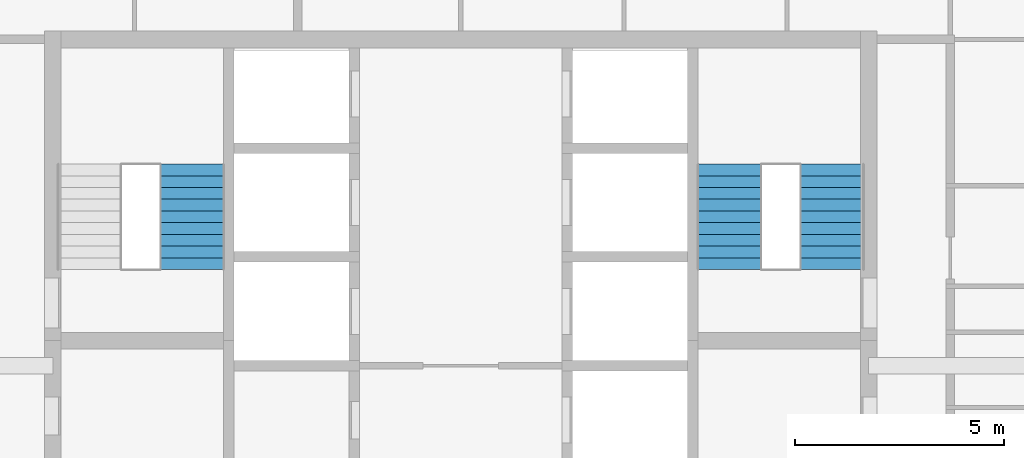
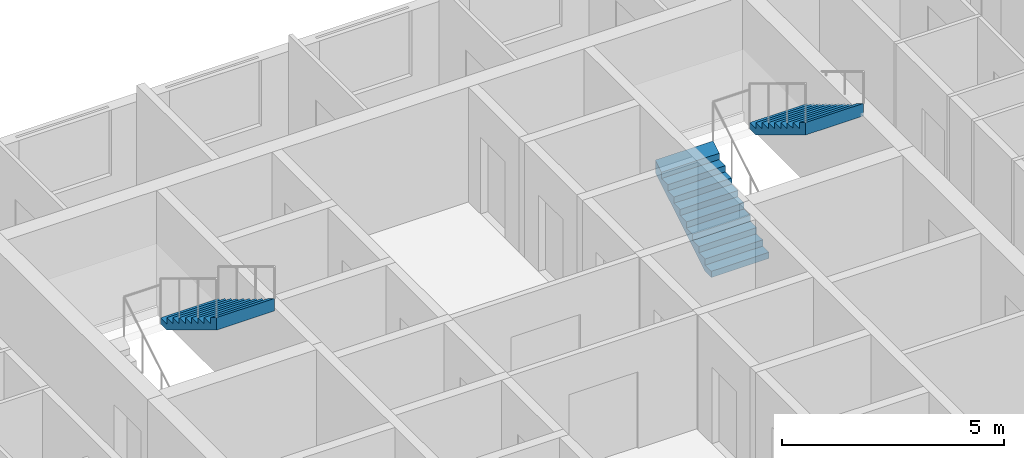
# One storey, part 14 of 16: 3 stair flights, 2 elements without a shape of their own.
"""IFC4 building model written with IfcOpenShell, lengths in metres."""

import ifcopenshell
import ifcopenshell.guid

model = None  # the IFC model being written
_history = None  # IfcOwnerHistory: only IFC2X3 demands one
_inside = {}  # id of a spatial element -> (the spatial element, [elements in it])
_under = {}  # id of a project, library or spatial element -> (it, [spatial elements below it])
_declared = {}  # id of a project -> (the project, [libraries it declares])
_typed = {}  # id of a type object -> (the type object, [elements of that type])
_made_of = {}  # id of a material, layer set ... -> (it, [elements and type objects made of it])


def new_model(schema):
    """Start an empty IFC model of exactly this schema.

    Asked for "IFC4X3", IfcOpenShell would pick the latest addendum, in which some entities
    have other attributes; the version numbers below select the first issue.
    IFC2X3 requires an IfcOwnerHistory on every rooted entity: one is made here for all.
    """
    global model, _history
    if schema == "IFC4X3":
        model = ifcopenshell.file(schema_version=(4, 3, 0, 0))
    else:
        model = ifcopenshell.file(schema=schema)
    _inside.clear()
    _under.clear()
    _declared.clear()
    _typed.clear()
    _made_of.clear()
    _history = None
    if model.schema == "IFC2X3":
        org = make("IfcOrganization", Name="unknown")
        user = make(
            "IfcPersonAndOrganization",
            ThePerson=make("IfcPerson", FamilyName="unknown"),
            TheOrganization=org,
        )
        app = make(
            "IfcApplication",
            ApplicationDeveloper=org,
            Version="unknown",
            ApplicationFullName="unknown",
            ApplicationIdentifier="unknown",
        )
        _history = make(
            "IfcOwnerHistory",
            OwningUser=user,
            OwningApplication=app,
            ChangeAction="ADDED",
            CreationDate=0,
        )
    return model


def make(cls, **values):
    """One entity of the class cls with the attributes given. An attribute that is None is left unset."""
    return model.create_entity(
        cls, **{name: value for name, value in values.items() if value is not None}
    )


def rooted(cls, **values):
    """An entity with a GlobalId (a new one), such as an element, a storey or a relation."""
    return make(cls, GlobalId=ifcopenshell.guid.new(), OwnerHistory=_history, **values)


def si_unit(unit_type, name, prefix=None):
    """IfcSIUnit, for example si_unit("LENGTHUNIT", "METRE", prefix="MILLI")."""
    return make("IfcSIUnit", UnitType=unit_type, Prefix=prefix, Name=name)


def assignment(units):
    """IfcUnitAssignment: the units of a project."""
    return None if units is None else make("IfcUnitAssignment", Units=units)


def point(xyz):
    """IfcCartesianPoint."""
    return None if xyz is None else make("IfcCartesianPoint", Coordinates=xyz)


def direction(xyz):
    """IfcDirection."""
    return None if xyz is None else make("IfcDirection", DirectionRatios=xyz)


def frame(location, z_axis=None, x_axis=None):
    """IfcAxis2Placement3D, a coordinate frame: its origin and axes. An axis left out is left unset."""
    return make(
        "IfcAxis2Placement3D",
        Location=point(location),
        Axis=direction(z_axis),
        RefDirection=direction(x_axis),
    )


def origin():
    """The frame at (0, 0, 0) with its axes left unset."""
    return frame((0.0, 0.0, 0.0))


def place(relative_to, where):
    """IfcLocalPlacement: puts the frame where relative to a parent placement (None: the world)."""
    return make(
        "IfcLocalPlacement", PlacementRelTo=relative_to, RelativePlacement=where
    )


def context(
    kind, dimensions, precision=None, world=None, true_north=None, identifier=None
):
    """IfcGeometricRepresentationContext, for example the 3D "Model" context."""
    return make(
        "IfcGeometricRepresentationContext",
        ContextIdentifier=identifier,
        ContextType=kind,
        CoordinateSpaceDimension=dimensions,
        Precision=precision,
        WorldCoordinateSystem=world,
        TrueNorth=true_north,
    )


def subcontext(parent, identifier, kind, view, scale=None):
    """IfcGeometricRepresentationSubContext, for example "Body" below "Model"."""
    return make(
        "IfcGeometricRepresentationSubContext",
        ContextIdentifier=identifier,
        ContextType=kind,
        ParentContext=parent,
        TargetScale=scale,
        TargetView=view,
    )


def project(units=None, contexts=None):
    """IfcProject with its units and contexts."""
    return rooted(
        "IfcProject",
        Name="project",
        RepresentationContexts=contexts,
        UnitsInContext=assignment(units),
    )


def spatial(cls, under=None, at=None, **own):
    """A site, building, storey or space (cls), placed at a placement, below another one or the project."""
    s = rooted(cls, ObjectPlacement=at, **own)
    if under is not None:
        _under.setdefault(under.id(), (under, []))[1].append(s)
    return s


def point_list(points):
    """IfcCartesianPointList2D or 3D."""
    cls = (
        "IfcCartesianPointList2D" if len(points[0]) == 2 else "IfcCartesianPointList3D"
    )
    return make(cls, CoordList=points)


def triangles(points, corners, closed=None, point_numbers=None):
    """IfcTriangulatedFaceSet: each triangle names its three corners, points numbered from 1."""
    return make(
        "IfcTriangulatedFaceSet",
        Coordinates=point_list(points),
        Closed=closed,
        CoordIndex=corners,
        PnIndex=point_numbers,
    )


def shape(context_of_items, identifier, shape_type, items):
    """IfcShapeRepresentation: the items that make up one representation, for example the "Body"."""
    return make(
        "IfcShapeRepresentation",
        ContextOfItems=context_of_items,
        RepresentationIdentifier=identifier,
        RepresentationType=shape_type,
        Items=items,
    )


def material(Name=None, Category=None):
    """IfcMaterial."""
    return make("IfcMaterial", Name=Name, Category=Category)


def made_of(thing, what):
    """Note that an element or type object is made of a material, layer set ...; save() writes the relation."""
    if what is not None:
        _made_of.setdefault(what.id(), (what, []))[1].append(thing)
    return thing


def type_object(cls, material=None, **own):
    """A type object (cls), such as IfcWallType, which elements share."""
    return made_of(rooted(cls, **own), material)


def element(
    cls,
    number,
    at=None,
    inside=None,
    cuts=None,
    type_object=None,
    material=None,
    context=None,
    identifier="Body",
    shape_type=None,
    held_by="IfcProductDefinitionShape",
    body=None,
    shapes=None,
    **own,
):
    """One element of the class cls, such as IfcWall. Its Tag is "e" and its number.

    at: its placement. inside: the storey or other place that contains it. cuts: it is an
    opening in that element (IfcRelVoidsElement). A single representation is given by context,
    identifier, shape_type and body (its items); several are given by shapes. held_by: the class
    of the entity that holds the representations. save() writes the other relations.
    """
    e = rooted(cls, Tag="e%d" % number, ObjectPlacement=at, **own)
    if body is not None:
        shapes = [shape(context, identifier, shape_type, body)]
    if shapes is not None:
        e.Representation = make(held_by, Representations=shapes)
    if inside is not None:
        _inside.setdefault(inside.id(), (inside, []))[1].append(e)
    if cuts is not None:
        rooted(
            "IfcRelVoidsElement", RelatingBuildingElement=cuts, RelatedOpeningElement=e
        )
    if type_object is not None:
        _typed.setdefault(type_object.id(), (type_object, []))[1].append(e)
    return made_of(e, material)


def aggregate(whole, parts):
    """IfcRelAggregates: a whole, such as a stair, and the parts it consists of."""
    return rooted("IfcRelAggregates", RelatingObject=whole, RelatedObjects=parts)


def save(model, path):
    """Write the relations noted so far, then the file.

    IfcRelAggregates (storeys below a building ...), IfcRelContainedInSpatialStructure (elements
    in a storey), IfcRelDefinesByType, IfcRelAssociatesMaterial and IfcRelDeclares: one each for
    every whole, place, type object, material and project.
    """
    for whole, parts in _under.values():
        aggregate(whole, parts)
    for where, things in _inside.values():
        rooted(
            "IfcRelContainedInSpatialStructure",
            RelatedElements=things,
            RelatingStructure=where,
        )
    for kind, things in _typed.values():
        rooted("IfcRelDefinesByType", RelatedObjects=things, RelatingType=kind)
    for what, things in _made_of.values():
        rooted("IfcRelAssociatesMaterial", RelatedObjects=things, RelatingMaterial=what)
    for by, libraries in _declared.values():
        rooted("IfcRelDeclares", RelatingContext=by, RelatedDefinitions=libraries)
    model.write(path)


model = new_model("IFC4")

# Units and contexts
model_context = context("Model", 3, precision=1e-05, world=origin(), true_north=direction((0.0, 1.0)))
body_context = subcontext(model_context, "Body", "Model", "MODEL_VIEW")
ifc_project = project(units=[si_unit("LENGTHUNIT", "METRE"), si_unit("AREAUNIT", "SQUARE_METRE"), si_unit("VOLUMEUNIT", "CUBIC_METRE"), si_unit("PLANEANGLEUNIT", "RADIAN"), si_unit("MASSUNIT", "GRAM", prefix="KILO")], contexts=[model_context])

# Site, building, storey
site_placement = place(None, origin())
site = spatial("IfcSite", under=ifc_project, at=site_placement, CompositionType="ELEMENT")
building_placement = place(site_placement, origin())
building = spatial("IfcBuilding", under=site, at=building_placement, Name="Ludao Terraces", CompositionType="ELEMENT")
storey_placement = place(building_placement, frame((0.0, 0.0, 204.10009765625)))
storey = spatial("IfcBuildingStorey", under=building, at=storey_placement, Name="L55", CompositionType="ELEMENT", Elevation=204.10009765625)

# Stair, stair flight
ifc_material = material(Name="Concrete C40", Category="concrete")
stair_type = type_object("IfcStairType", Name="INT Stair", PredefinedType="HALF_TURN_STAIR", material=ifc_material)
stair_1_placement = place(storey_placement, origin())
stair_1 = element("IfcStair", 1, at=stair_1_placement, inside=storey, type_object=stair_type, Name="EXIT STAIR 1", PredefinedType="HALF_TURN_STAIR")
stair_flight_type = type_object("IfcStairFlightType", Name="INT Stair flight", PredefinedType="STRAIGHT", material=ifc_material)
stair_flight_1_placement = place(storey_placement, frame((78.574951171875, 81.52001953125, 1.699951171875), z_axis=(0.0, 0.0, 1.0), x_axis=(0.0, -1.0, 0.0)))
stair_flight_1 = element("IfcStairFlight", 2, at=stair_flight_1_placement, type_object=stair_flight_type, Name="ST1 flight 2", NumberOfRisers=10, NumberOfTreads=9, PredefinedType="STRAIGHT", RiserHeight=0.17, TreadLength=0.28, context=body_context, shape_type="Tessellation", body=[
    triangles([(0.0, -0.75, 0.0), (0.0, -0.5, 0.0), (0.0, -0.25, 0.0), (0.0, 0.0, 0.0), (0.0, 0.25, 0.0), (0.0, 0.5, 0.0), (0.0, 0.75, 0.0), (0.0, -0.75, 0.169921875), (0.0, -0.5, 0.169921875), (0.0, -0.25, 0.169921875), (0.0, 0.0, 0.169921875), (0.0, 0.25, 0.169921875), (0.0, 0.5, 0.169921875), (0.0, 0.75, 0.169921875), (0.280029296875, -0.75, 0.169921875), (0.280029296875, -0.5, 0.169921875), (0.280029296875, -0.25, 0.169921875), (0.280029296875, 0.0, 0.169921875), (0.280029296875, 0.25, 0.169921875), (0.280029296875, 0.5, 0.169921875), (0.280029296875, 0.75, 0.169921875), (0.280029296875, -0.75, 0.340087890625), (0.280029296875, -0.5, 0.340087890625), (0.280029296875, -0.25, 0.340087890625), (0.280029296875, 0.0, 0.340087890625), (0.280029296875, 0.25, 0.340087890625), (0.280029296875, 0.5, 0.340087890625), (0.280029296875, 0.75, 0.340087890625), (0.56005859375, -0.75, 0.340087890625), (0.56005859375, -0.5, 0.340087890625), (0.56005859375, -0.25, 0.340087890625), (0.56005859375, 0.0, 0.340087890625), (0.56005859375, 0.25, 0.340087890625), (0.56005859375, 0.5, 0.340087890625), (0.56005859375, 0.75, 0.340087890625), (0.56005859375, -0.75, 0.510009765625), (0.56005859375, -0.5, 0.510009765625), (0.56005859375, -0.25, 0.510009765625), (0.56005859375, 0.0, 0.510009765625), (0.56005859375, 0.25, 0.510009765625), (0.56005859375, 0.5, 0.510009765625), (0.56005859375, 0.75, 0.510009765625), (0.840087890625, -0.75, 0.510009765625), (0.840087890625, -0.5, 0.510009765625), (0.840087890625, -0.25, 0.510009765625), (0.840087890625, 0.0, 0.510009765625), (0.840087890625, 0.25, 0.510009765625), (0.840087890625, 0.5, 0.510009765625), (0.840087890625, 0.75, 0.510009765625), (0.840087890625, -0.75, 0.679931640625), (0.840087890625, -0.5, 0.679931640625), (0.840087890625, -0.25, 0.679931640625), (0.840087890625, 0.0, 0.679931640625), (0.840087890625, 0.25, 0.679931640625), (0.840087890625, 0.5, 0.679931640625), (0.840087890625, 0.75, 0.679931640625), (1.1201171875, -0.75, 0.679931640625), (1.1201171875, -0.5, 0.679931640625), (1.1201171875, -0.25, 0.679931640625), (1.1201171875, 0.0, 0.679931640625), (1.1201171875, 0.25, 0.679931640625), (1.1201171875, 0.5, 0.679931640625), (1.1201171875, 0.75, 0.679931640625), (1.1201171875, -0.75, 0.85009765625), (1.1201171875, -0.5, 0.85009765625), (1.1201171875, -0.25, 0.85009765625), (1.1201171875, 0.0, 0.85009765625), (1.1201171875, 0.25, 0.85009765625), (1.1201171875, 0.5, 0.85009765625), (1.1201171875, 0.75, 0.85009765625), (1.39990234375, -0.75, 0.85009765625), (1.39990234375, -0.5, 0.85009765625), (1.39990234375, -0.25, 0.85009765625), (1.39990234375, 0.0, 0.85009765625), (1.39990234375, 0.25, 0.85009765625), (1.39990234375, 0.5, 0.85009765625), (1.39990234375, 0.75, 0.85009765625), (1.39990234375, -0.75, 1.02001953125), (1.39990234375, -0.5, 1.02001953125), (1.39990234375, -0.25, 1.02001953125), (1.39990234375, 0.0, 1.02001953125), (1.39990234375, 0.25, 1.02001953125), (1.39990234375, 0.5, 1.02001953125), (1.39990234375, 0.75, 1.02001953125), (1.679931640625, -0.75, 1.02001953125), (1.679931640625, -0.5, 1.02001953125), (1.679931640625, -0.25, 1.02001953125), (1.679931640625, 0.0, 1.02001953125), (1.679931640625, 0.25, 1.02001953125), (1.679931640625, 0.5, 1.02001953125), (1.679931640625, 0.75, 1.02001953125), (1.679931640625, -0.75, 1.18994140625), (1.679931640625, -0.5, 1.18994140625), (1.679931640625, -0.25, 1.18994140625), (1.679931640625, 0.0, 1.18994140625), (1.679931640625, 0.25, 1.18994140625), (1.679931640625, 0.5, 1.18994140625), (1.679931640625, 0.75, 1.18994140625), (1.9599609375, -0.75, 1.18994140625), (1.9599609375, -0.5, 1.18994140625), (1.9599609375, -0.25, 1.18994140625), (1.9599609375, 0.0, 1.18994140625), (1.9599609375, 0.25, 1.18994140625), (1.9599609375, 0.5, 1.18994140625), (1.9599609375, 0.75, 1.18994140625), (1.9599609375, -0.75, 1.360107421875), (1.9599609375, -0.5, 1.360107421875), (1.9599609375, -0.25, 1.360107421875), (1.9599609375, 0.0, 1.360107421875), (1.9599609375, 0.25, 1.360107421875), (1.9599609375, 0.5, 1.360107421875), (1.9599609375, 0.75, 1.360107421875), (2.239990234375, -0.75, 1.360107421875), (2.239990234375, -0.5, 1.360107421875), (2.239990234375, -0.25, 1.360107421875), (2.239990234375, 0.0, 1.360107421875), (2.239990234375, 0.25, 1.360107421875), (2.239990234375, 0.5, 1.360107421875), (2.239990234375, 0.75, 1.360107421875), (2.239990234375, -0.75, 1.530029296875), (2.239990234375, -0.5, 1.530029296875), (2.239990234375, -0.25, 1.530029296875), (2.239990234375, 0.0, 1.530029296875), (2.239990234375, 0.25, 1.530029296875), (2.239990234375, 0.5, 1.530029296875), (2.239990234375, 0.75, 1.530029296875), (2.52001953125, -0.75, 1.699951171875), (2.52001953125, -0.5, 1.699951171875), (2.52001953125, -0.25, 1.699951171875), (2.52001953125, 0.0, 1.699951171875), (2.52001953125, 0.25, 1.699951171875), (2.52001953125, 0.5, 1.699951171875), (2.52001953125, 0.75, 1.699951171875), (2.52001953125, -0.75, 1.354736328125), (2.52001953125, -0.5, 1.354736328125), (2.52001953125, -0.25, 1.354736328125), (2.52001953125, 0.0, 1.354736328125), (2.52001953125, 0.25, 1.354736328125), (2.52001953125, 0.5, 1.354736328125), (2.52001953125, 0.75, 1.354736328125), (0.288818359375, -0.75, 0.0), (0.288818359375, -0.5, 0.0), (0.288818359375, -0.25, 0.0), (0.288818359375, 0.0, 0.0), (0.288818359375, 0.25, 0.0), (0.288818359375, 0.5, 0.0), (0.288818359375, 0.75, 0.0)], [[1, 141, 134], [7, 140, 147], [134, 127, 120], [140, 126, 133], [134, 120, 113], [140, 119, 126], [134, 113, 106], [140, 112, 119], [134, 106, 99], [140, 105, 112], [99, 92, 85], [105, 91, 98], [134, 99, 85], [140, 91, 105], [85, 78, 71], [91, 77, 84], [134, 85, 71], [140, 77, 91], [71, 64, 57], [77, 63, 70], [134, 71, 57], [140, 63, 77], [57, 50, 43], [63, 49, 56], [134, 57, 43], [140, 49, 63], [43, 36, 29], [49, 35, 42], [134, 43, 29], [140, 35, 49], [29, 22, 15], [35, 21, 28], [134, 29, 15], [140, 21, 35], [1, 134, 15], [7, 21, 140], [15, 8, 1], [21, 7, 14], [1, 9, 2], [1, 8, 9], [2, 10, 3], [2, 9, 10], [3, 11, 4], [3, 10, 11], [4, 12, 5], [4, 11, 12], [5, 13, 6], [5, 12, 13], [6, 14, 7], [6, 13, 14], [8, 16, 9], [8, 15, 16], [9, 17, 10], [9, 16, 17], [10, 18, 11], [10, 17, 18], [11, 19, 12], [11, 18, 19], [12, 20, 13], [12, 19, 20], [13, 21, 14], [13, 20, 21], [15, 23, 16], [15, 22, 23], [16, 24, 17], [16, 23, 24], [17, 25, 18], [17, 24, 25], [18, 26, 19], [18, 25, 26], [19, 27, 20], [19, 26, 27], [20, 28, 21], [20, 27, 28], [22, 30, 23], [22, 29, 30], [23, 31, 24], [23, 30, 31], [24, 32, 25], [24, 31, 32], [25, 33, 26], [25, 32, 33], [26, 34, 27], [26, 33, 34], [27, 35, 28], [27, 34, 35], [29, 37, 30], [29, 36, 37], [30, 38, 31], [30, 37, 38], [31, 39, 32], [31, 38, 39], [32, 40, 33], [32, 39, 40], [33, 41, 34], [33, 40, 41], [34, 42, 35], [34, 41, 42], [36, 44, 37], [36, 43, 44], [37, 45, 38], [37, 44, 45], [38, 46, 39], [38, 45, 46], [39, 47, 40], [39, 46, 47], [40, 48, 41], [40, 47, 48], [41, 49, 42], [41, 48, 49], [43, 51, 44], [43, 50, 51], [44, 52, 45], [44, 51, 52], [45, 53, 46], [45, 52, 53], [46, 54, 47], [46, 53, 54], [47, 55, 48], [47, 54, 55], [48, 56, 49], [48, 55, 56], [50, 58, 51], [50, 57, 58], [51, 59, 52], [51, 58, 59], [52, 60, 53], [52, 59, 60], [53, 61, 54], [53, 60, 61], [54, 62, 55], [54, 61, 62], [55, 63, 56], [55, 62, 63], [57, 65, 58], [57, 64, 65], [58, 66, 59], [58, 65, 66], [59, 67, 60], [59, 66, 67], [60, 68, 61], [60, 67, 68], [61, 69, 62], [61, 68, 69], [62, 70, 63], [62, 69, 70], [64, 72, 65], [64, 71, 72], [65, 73, 66], [65, 72, 73], [66, 74, 67], [66, 73, 74], [67, 75, 68], [67, 74, 75], [68, 76, 69], [68, 75, 76], [69, 77, 70], [69, 76, 77], [71, 79, 72], [71, 78, 79], [72, 80, 73], [72, 79, 80], [73, 81, 74], [73, 80, 81], [74, 82, 75], [74, 81, 82], [75, 83, 76], [75, 82, 83], [76, 84, 77], [76, 83, 84], [78, 86, 79], [78, 85, 86], [79, 87, 80], [79, 86, 87], [80, 88, 81], [80, 87, 88], [81, 89, 82], [81, 88, 89], [82, 90, 83], [82, 89, 90], [83, 91, 84], [83, 90, 91], [85, 93, 86], [85, 92, 93], [86, 94, 87], [86, 93, 94], [87, 95, 88], [87, 94, 95], [88, 96, 89], [88, 95, 96], [89, 97, 90], [89, 96, 97], [90, 98, 91], [90, 97, 98], [92, 100, 93], [92, 99, 100], [93, 101, 94], [93, 100, 101], [94, 102, 95], [94, 101, 102], [95, 103, 96], [95, 102, 103], [96, 104, 97], [96, 103, 104], [97, 105, 98], [97, 104, 105], [99, 107, 100], [99, 106, 107], [100, 108, 101], [100, 107, 108], [101, 109, 102], [101, 108, 109], [102, 110, 103], [102, 109, 110], [103, 111, 104], [103, 110, 111], [104, 112, 105], [104, 111, 112], [106, 114, 107], [106, 113, 114], [107, 115, 108], [107, 114, 115], [108, 116, 109], [108, 115, 116], [109, 117, 110], [109, 116, 117], [110, 118, 111], [110, 117, 118], [111, 119, 112], [111, 118, 119], [113, 121, 114], [113, 120, 121], [114, 122, 115], [114, 121, 122], [115, 123, 116], [115, 122, 123], [116, 124, 117], [116, 123, 124], [117, 125, 118], [117, 124, 125], [118, 126, 119], [118, 125, 126], [120, 128, 121], [120, 127, 128], [121, 129, 122], [121, 128, 129], [122, 130, 123], [122, 129, 130], [123, 131, 124], [123, 130, 131], [124, 132, 125], [124, 131, 132], [125, 133, 126], [125, 132, 133], [127, 135, 128], [127, 134, 135], [128, 136, 129], [128, 135, 136], [129, 137, 130], [129, 136, 137], [130, 138, 131], [130, 137, 138], [131, 139, 132], [131, 138, 139], [132, 140, 133], [132, 139, 140], [134, 142, 135], [134, 141, 142], [135, 143, 136], [135, 142, 143], [136, 144, 137], [136, 143, 144], [137, 145, 138], [137, 144, 145], [138, 146, 139], [138, 145, 146], [139, 147, 140], [139, 146, 147], [141, 2, 142], [141, 1, 2], [142, 3, 143], [142, 2, 3], [143, 4, 144], [143, 3, 4], [144, 5, 145], [144, 4, 5], [145, 6, 146], [145, 5, 6], [146, 7, 147], [146, 6, 7]], closed=True),
])
aggregate(stair_1, [stair_flight_1])

# Stair, stair flights
stair_2_placement = place(storey_placement, origin())
stair_2 = element("IfcStair", 3, at=stair_2_placement, inside=storey, type_object=stair_type, Name="EXIT STAIR 2", PredefinedType="HALF_TURN_STAIR")
stair_flight_2_placement = place(storey_placement, frame((91.425048828125, 79.0, 0.0), z_axis=(0.0, 0.0, 1.0), x_axis=(0.0, 1.0, 0.0)))
stair_flight_2 = element("IfcStairFlight", 4, at=stair_flight_2_placement, type_object=stair_flight_type, Name="ST2 flight 1", NumberOfRisers=10, NumberOfTreads=9, PredefinedType="STRAIGHT", RiserHeight=0.17, TreadLength=0.28, context=body_context, shape_type="Tessellation", body=[
    triangles([(0.0, -0.75, 0.0), (0.0, -0.5, 0.0), (0.0, -0.25, 0.0), (0.0, 0.0, 0.0), (0.0, 0.25, 0.0), (0.0, 0.5, 0.0), (0.0, 0.75, 0.0), (0.0, -0.75, 0.169921875), (0.0, -0.5, 0.169921875), (0.0, -0.25, 0.169921875), (0.0, 0.0, 0.169921875), (0.0, 0.25, 0.169921875), (0.0, 0.5, 0.169921875), (0.0, 0.75, 0.169921875), (0.280029296875, -0.75, 0.169921875), (0.280029296875, -0.5, 0.169921875), (0.280029296875, -0.25, 0.169921875), (0.280029296875, 0.0, 0.169921875), (0.280029296875, 0.25, 0.169921875), (0.280029296875, 0.5, 0.169921875), (0.280029296875, 0.75, 0.169921875), (0.280029296875, -0.75, 0.340087890625), (0.280029296875, -0.5, 0.340087890625), (0.280029296875, -0.25, 0.340087890625), (0.280029296875, 0.0, 0.340087890625), (0.280029296875, 0.25, 0.340087890625), (0.280029296875, 0.5, 0.340087890625), (0.280029296875, 0.75, 0.340087890625), (0.56005859375, -0.75, 0.340087890625), (0.56005859375, -0.5, 0.340087890625), (0.56005859375, -0.25, 0.340087890625), (0.56005859375, 0.0, 0.340087890625), (0.56005859375, 0.25, 0.340087890625), (0.56005859375, 0.5, 0.340087890625), (0.56005859375, 0.75, 0.340087890625), (0.56005859375, -0.75, 0.510009765625), (0.56005859375, -0.5, 0.510009765625), (0.56005859375, -0.25, 0.510009765625), (0.56005859375, 0.0, 0.510009765625), (0.56005859375, 0.25, 0.510009765625), (0.56005859375, 0.5, 0.510009765625), (0.56005859375, 0.75, 0.510009765625), (0.840087890625, -0.75, 0.510009765625), (0.840087890625, -0.5, 0.510009765625), (0.840087890625, -0.25, 0.510009765625), (0.840087890625, 0.0, 0.510009765625), (0.840087890625, 0.25, 0.510009765625), (0.840087890625, 0.5, 0.510009765625), (0.840087890625, 0.75, 0.510009765625), (0.840087890625, -0.75, 0.679931640625), (0.840087890625, -0.5, 0.679931640625), (0.840087890625, -0.25, 0.679931640625), (0.840087890625, 0.0, 0.679931640625), (0.840087890625, 0.25, 0.679931640625), (0.840087890625, 0.5, 0.679931640625), (0.840087890625, 0.75, 0.679931640625), (1.1201171875, -0.75, 0.679931640625), (1.1201171875, -0.5, 0.679931640625), (1.1201171875, -0.25, 0.679931640625), (1.1201171875, 0.0, 0.679931640625), (1.1201171875, 0.25, 0.679931640625), (1.1201171875, 0.5, 0.679931640625), (1.1201171875, 0.75, 0.679931640625), (1.1201171875, -0.75, 0.85009765625), (1.1201171875, -0.5, 0.85009765625), (1.1201171875, -0.25, 0.85009765625), (1.1201171875, 0.0, 0.85009765625), (1.1201171875, 0.25, 0.85009765625), (1.1201171875, 0.5, 0.85009765625), (1.1201171875, 0.75, 0.85009765625), (1.39990234375, -0.75, 0.85009765625), (1.39990234375, -0.5, 0.85009765625), (1.39990234375, -0.25, 0.85009765625), (1.39990234375, 0.0, 0.85009765625), (1.39990234375, 0.25, 0.85009765625), (1.39990234375, 0.5, 0.85009765625), (1.39990234375, 0.75, 0.85009765625), (1.39990234375, -0.75, 1.02001953125), (1.39990234375, -0.5, 1.02001953125), (1.39990234375, -0.25, 1.02001953125), (1.39990234375, 0.0, 1.02001953125), (1.39990234375, 0.25, 1.02001953125), (1.39990234375, 0.5, 1.02001953125), (1.39990234375, 0.75, 1.02001953125), (1.679931640625, -0.75, 1.02001953125), (1.679931640625, -0.5, 1.02001953125), (1.679931640625, -0.25, 1.02001953125), (1.679931640625, 0.0, 1.02001953125), (1.679931640625, 0.25, 1.02001953125), (1.679931640625, 0.5, 1.02001953125), (1.679931640625, 0.75, 1.02001953125), (1.679931640625, -0.75, 1.18994140625), (1.679931640625, -0.5, 1.18994140625), (1.679931640625, -0.25, 1.18994140625), (1.679931640625, 0.0, 1.18994140625), (1.679931640625, 0.25, 1.18994140625), (1.679931640625, 0.5, 1.18994140625), (1.679931640625, 0.75, 1.18994140625), (1.9599609375, -0.75, 1.18994140625), (1.9599609375, -0.5, 1.18994140625), (1.9599609375, -0.25, 1.18994140625), (1.9599609375, 0.0, 1.18994140625), (1.9599609375, 0.25, 1.18994140625), (1.9599609375, 0.5, 1.18994140625), (1.9599609375, 0.75, 1.18994140625), (1.9599609375, -0.75, 1.360107421875), (1.9599609375, -0.5, 1.360107421875), (1.9599609375, -0.25, 1.360107421875), (1.9599609375, 0.0, 1.360107421875), (1.9599609375, 0.25, 1.360107421875), (1.9599609375, 0.5, 1.360107421875), (1.9599609375, 0.75, 1.360107421875), (2.239990234375, -0.75, 1.360107421875), (2.239990234375, -0.5, 1.360107421875), (2.239990234375, -0.25, 1.360107421875), (2.239990234375, 0.0, 1.360107421875), (2.239990234375, 0.25, 1.360107421875), (2.239990234375, 0.5, 1.360107421875), (2.239990234375, 0.75, 1.360107421875), (2.239990234375, -0.75, 1.530029296875), (2.239990234375, -0.5, 1.530029296875), (2.239990234375, -0.25, 1.530029296875), (2.239990234375, 0.0, 1.530029296875), (2.239990234375, 0.25, 1.530029296875), (2.239990234375, 0.5, 1.530029296875), (2.239990234375, 0.75, 1.530029296875), (2.52001953125, -0.75, 1.699951171875), (2.52001953125, -0.5, 1.699951171875), (2.52001953125, -0.25, 1.699951171875), (2.52001953125, 0.0, 1.699951171875), (2.52001953125, 0.25, 1.699951171875), (2.52001953125, 0.5, 1.699951171875), (2.52001953125, 0.75, 1.699951171875), (2.52001953125, -0.75, 1.354736328125), (2.52001953125, -0.5, 1.354736328125), (2.52001953125, -0.25, 1.354736328125), (2.52001953125, 0.0, 1.354736328125), (2.52001953125, 0.25, 1.354736328125), (2.52001953125, 0.5, 1.354736328125), (2.52001953125, 0.75, 1.354736328125), (0.288818359375, -0.75, 0.0), (0.288818359375, -0.5, 0.0), (0.288818359375, -0.25, 0.0), (0.288818359375, 0.0, 0.0), (0.288818359375, 0.25, 0.0), (0.288818359375, 0.5, 0.0), (0.288818359375, 0.75, 0.0)], [[1, 141, 134], [7, 140, 147], [134, 127, 120], [140, 126, 133], [134, 120, 113], [140, 119, 126], [134, 113, 106], [140, 112, 119], [134, 106, 99], [140, 105, 112], [99, 92, 85], [105, 91, 98], [134, 99, 85], [140, 91, 105], [85, 78, 71], [91, 77, 84], [134, 85, 71], [140, 77, 91], [71, 64, 57], [77, 63, 70], [134, 71, 57], [140, 63, 77], [57, 50, 43], [63, 49, 56], [134, 57, 43], [140, 49, 63], [43, 36, 29], [49, 35, 42], [134, 43, 29], [140, 35, 49], [29, 22, 15], [35, 21, 28], [134, 29, 15], [140, 21, 35], [1, 134, 15], [7, 21, 140], [15, 8, 1], [21, 7, 14], [1, 9, 2], [1, 8, 9], [2, 10, 3], [2, 9, 10], [3, 11, 4], [3, 10, 11], [4, 12, 5], [4, 11, 12], [5, 13, 6], [5, 12, 13], [6, 14, 7], [6, 13, 14], [8, 16, 9], [8, 15, 16], [9, 17, 10], [9, 16, 17], [10, 18, 11], [10, 17, 18], [11, 19, 12], [11, 18, 19], [12, 20, 13], [12, 19, 20], [13, 21, 14], [13, 20, 21], [15, 23, 16], [15, 22, 23], [16, 24, 17], [16, 23, 24], [17, 25, 18], [17, 24, 25], [18, 26, 19], [18, 25, 26], [19, 27, 20], [19, 26, 27], [20, 28, 21], [20, 27, 28], [22, 30, 23], [22, 29, 30], [23, 31, 24], [23, 30, 31], [24, 32, 25], [24, 31, 32], [25, 33, 26], [25, 32, 33], [26, 34, 27], [26, 33, 34], [27, 35, 28], [27, 34, 35], [29, 37, 30], [29, 36, 37], [30, 38, 31], [30, 37, 38], [31, 39, 32], [31, 38, 39], [32, 40, 33], [32, 39, 40], [33, 41, 34], [33, 40, 41], [34, 42, 35], [34, 41, 42], [36, 44, 37], [36, 43, 44], [37, 45, 38], [37, 44, 45], [38, 46, 39], [38, 45, 46], [39, 47, 40], [39, 46, 47], [40, 48, 41], [40, 47, 48], [41, 49, 42], [41, 48, 49], [43, 51, 44], [43, 50, 51], [44, 52, 45], [44, 51, 52], [45, 53, 46], [45, 52, 53], [46, 54, 47], [46, 53, 54], [47, 55, 48], [47, 54, 55], [48, 56, 49], [48, 55, 56], [50, 58, 51], [50, 57, 58], [51, 59, 52], [51, 58, 59], [52, 60, 53], [52, 59, 60], [53, 61, 54], [53, 60, 61], [54, 62, 55], [54, 61, 62], [55, 63, 56], [55, 62, 63], [57, 65, 58], [57, 64, 65], [58, 66, 59], [58, 65, 66], [59, 67, 60], [59, 66, 67], [60, 68, 61], [60, 67, 68], [61, 69, 62], [61, 68, 69], [62, 70, 63], [62, 69, 70], [64, 72, 65], [64, 71, 72], [65, 73, 66], [65, 72, 73], [66, 74, 67], [66, 73, 74], [67, 75, 68], [67, 74, 75], [68, 76, 69], [68, 75, 76], [69, 77, 70], [69, 76, 77], [71, 79, 72], [71, 78, 79], [72, 80, 73], [72, 79, 80], [73, 81, 74], [73, 80, 81], [74, 82, 75], [74, 81, 82], [75, 83, 76], [75, 82, 83], [76, 84, 77], [76, 83, 84], [78, 86, 79], [78, 85, 86], [79, 87, 80], [79, 86, 87], [80, 88, 81], [80, 87, 88], [81, 89, 82], [81, 88, 89], [82, 90, 83], [82, 89, 90], [83, 91, 84], [83, 90, 91], [85, 93, 86], [85, 92, 93], [86, 94, 87], [86, 93, 94], [87, 95, 88], [87, 94, 95], [88, 96, 89], [88, 95, 96], [89, 97, 90], [89, 96, 97], [90, 98, 91], [90, 97, 98], [92, 100, 93], [92, 99, 100], [93, 101, 94], [93, 100, 101], [94, 102, 95], [94, 101, 102], [95, 103, 96], [95, 102, 103], [96, 104, 97], [96, 103, 104], [97, 105, 98], [97, 104, 105], [99, 107, 100], [99, 106, 107], [100, 108, 101], [100, 107, 108], [101, 109, 102], [101, 108, 109], [102, 110, 103], [102, 109, 110], [103, 111, 104], [103, 110, 111], [104, 112, 105], [104, 111, 112], [106, 114, 107], [106, 113, 114], [107, 115, 108], [107, 114, 115], [108, 116, 109], [108, 115, 116], [109, 117, 110], [109, 116, 117], [110, 118, 111], [110, 117, 118], [111, 119, 112], [111, 118, 119], [113, 121, 114], [113, 120, 121], [114, 122, 115], [114, 121, 122], [115, 123, 116], [115, 122, 123], [116, 124, 117], [116, 123, 124], [117, 125, 118], [117, 124, 125], [118, 126, 119], [118, 125, 126], [120, 128, 121], [120, 127, 128], [121, 129, 122], [121, 128, 129], [122, 130, 123], [122, 129, 130], [123, 131, 124], [123, 130, 131], [124, 132, 125], [124, 131, 132], [125, 133, 126], [125, 132, 133], [127, 135, 128], [127, 134, 135], [128, 136, 129], [128, 135, 136], [129, 137, 130], [129, 136, 137], [130, 138, 131], [130, 137, 138], [131, 139, 132], [131, 138, 139], [132, 140, 133], [132, 139, 140], [134, 142, 135], [134, 141, 142], [135, 143, 136], [135, 142, 143], [136, 144, 137], [136, 143, 144], [137, 145, 138], [137, 144, 145], [138, 146, 139], [138, 145, 146], [139, 147, 140], [139, 146, 147], [141, 2, 142], [141, 1, 2], [142, 3, 143], [142, 2, 3], [143, 4, 144], [143, 3, 4], [144, 5, 145], [144, 4, 5], [145, 6, 146], [145, 5, 6], [146, 7, 147], [146, 6, 7]], closed=True),
])
stair_flight_3_placement = place(storey_placement, frame((93.875, 81.52001953125, 1.699951171875), z_axis=(0.0, 0.0, 1.0), x_axis=(0.0, -1.0, 0.0)))
stair_flight_3 = element("IfcStairFlight", 5, at=stair_flight_3_placement, type_object=stair_flight_type, Name="ST2 flight 2", NumberOfRisers=10, NumberOfTreads=9, PredefinedType="STRAIGHT", RiserHeight=0.17, TreadLength=0.28, context=body_context, shape_type="Tessellation", body=[
    triangles([(0.0, -0.75, 0.0), (0.0, -0.5, 0.0), (0.0, -0.25, 0.0), (0.0, 0.0, 0.0), (0.0, 0.25, 0.0), (0.0, 0.5, 0.0), (0.0, 0.75, 0.0), (0.0, -0.75, 0.169921875), (0.0, -0.5, 0.169921875), (0.0, -0.25, 0.169921875), (0.0, 0.0, 0.169921875), (0.0, 0.25, 0.169921875), (0.0, 0.5, 0.169921875), (0.0, 0.75, 0.169921875), (0.280029296875, -0.75, 0.169921875), (0.280029296875, -0.5, 0.169921875), (0.280029296875, -0.25, 0.169921875), (0.280029296875, 0.0, 0.169921875), (0.280029296875, 0.25, 0.169921875), (0.280029296875, 0.5, 0.169921875), (0.280029296875, 0.75, 0.169921875), (0.280029296875, -0.75, 0.340087890625), (0.280029296875, -0.5, 0.340087890625), (0.280029296875, -0.25, 0.340087890625), (0.280029296875, 0.0, 0.340087890625), (0.280029296875, 0.25, 0.340087890625), (0.280029296875, 0.5, 0.340087890625), (0.280029296875, 0.75, 0.340087890625), (0.56005859375, -0.75, 0.340087890625), (0.56005859375, -0.5, 0.340087890625), (0.56005859375, -0.25, 0.340087890625), (0.56005859375, 0.0, 0.340087890625), (0.56005859375, 0.25, 0.340087890625), (0.56005859375, 0.5, 0.340087890625), (0.56005859375, 0.75, 0.340087890625), (0.56005859375, -0.75, 0.510009765625), (0.56005859375, -0.5, 0.510009765625), (0.56005859375, -0.25, 0.510009765625), (0.56005859375, 0.0, 0.510009765625), (0.56005859375, 0.25, 0.510009765625), (0.56005859375, 0.5, 0.510009765625), (0.56005859375, 0.75, 0.510009765625), (0.840087890625, -0.75, 0.510009765625), (0.840087890625, -0.5, 0.510009765625), (0.840087890625, -0.25, 0.510009765625), (0.840087890625, 0.0, 0.510009765625), (0.840087890625, 0.25, 0.510009765625), (0.840087890625, 0.5, 0.510009765625), (0.840087890625, 0.75, 0.510009765625), (0.840087890625, -0.75, 0.679931640625), (0.840087890625, -0.5, 0.679931640625), (0.840087890625, -0.25, 0.679931640625), (0.840087890625, 0.0, 0.679931640625), (0.840087890625, 0.25, 0.679931640625), (0.840087890625, 0.5, 0.679931640625), (0.840087890625, 0.75, 0.679931640625), (1.1201171875, -0.75, 0.679931640625), (1.1201171875, -0.5, 0.679931640625), (1.1201171875, -0.25, 0.679931640625), (1.1201171875, 0.0, 0.679931640625), (1.1201171875, 0.25, 0.679931640625), (1.1201171875, 0.5, 0.679931640625), (1.1201171875, 0.75, 0.679931640625), (1.1201171875, -0.75, 0.85009765625), (1.1201171875, -0.5, 0.85009765625), (1.1201171875, -0.25, 0.85009765625), (1.1201171875, 0.0, 0.85009765625), (1.1201171875, 0.25, 0.85009765625), (1.1201171875, 0.5, 0.85009765625), (1.1201171875, 0.75, 0.85009765625), (1.39990234375, -0.75, 0.85009765625), (1.39990234375, -0.5, 0.85009765625), (1.39990234375, -0.25, 0.85009765625), (1.39990234375, 0.0, 0.85009765625), (1.39990234375, 0.25, 0.85009765625), (1.39990234375, 0.5, 0.85009765625), (1.39990234375, 0.75, 0.85009765625), (1.39990234375, -0.75, 1.02001953125), (1.39990234375, -0.5, 1.02001953125), (1.39990234375, -0.25, 1.02001953125), (1.39990234375, 0.0, 1.02001953125), (1.39990234375, 0.25, 1.02001953125), (1.39990234375, 0.5, 1.02001953125), (1.39990234375, 0.75, 1.02001953125), (1.679931640625, -0.75, 1.02001953125), (1.679931640625, -0.5, 1.02001953125), (1.679931640625, -0.25, 1.02001953125), (1.679931640625, 0.0, 1.02001953125), (1.679931640625, 0.25, 1.02001953125), (1.679931640625, 0.5, 1.02001953125), (1.679931640625, 0.75, 1.02001953125), (1.679931640625, -0.75, 1.18994140625), (1.679931640625, -0.5, 1.18994140625), (1.679931640625, -0.25, 1.18994140625), (1.679931640625, 0.0, 1.18994140625), (1.679931640625, 0.25, 1.18994140625), (1.679931640625, 0.5, 1.18994140625), (1.679931640625, 0.75, 1.18994140625), (1.9599609375, -0.75, 1.18994140625), (1.9599609375, -0.5, 1.18994140625), (1.9599609375, -0.25, 1.18994140625), (1.9599609375, 0.0, 1.18994140625), (1.9599609375, 0.25, 1.18994140625), (1.9599609375, 0.5, 1.18994140625), (1.9599609375, 0.75, 1.18994140625), (1.9599609375, -0.75, 1.360107421875), (1.9599609375, -0.5, 1.360107421875), (1.9599609375, -0.25, 1.360107421875), (1.9599609375, 0.0, 1.360107421875), (1.9599609375, 0.25, 1.360107421875), (1.9599609375, 0.5, 1.360107421875), (1.9599609375, 0.75, 1.360107421875), (2.239990234375, -0.75, 1.360107421875), (2.239990234375, -0.5, 1.360107421875), (2.239990234375, -0.25, 1.360107421875), (2.239990234375, 0.0, 1.360107421875), (2.239990234375, 0.25, 1.360107421875), (2.239990234375, 0.5, 1.360107421875), (2.239990234375, 0.75, 1.360107421875), (2.239990234375, -0.75, 1.530029296875), (2.239990234375, -0.5, 1.530029296875), (2.239990234375, -0.25, 1.530029296875), (2.239990234375, 0.0, 1.530029296875), (2.239990234375, 0.25, 1.530029296875), (2.239990234375, 0.5, 1.530029296875), (2.239990234375, 0.75, 1.530029296875), (2.52001953125, -0.75, 1.699951171875), (2.52001953125, -0.5, 1.699951171875), (2.52001953125, -0.25, 1.699951171875), (2.52001953125, 0.0, 1.699951171875), (2.52001953125, 0.25, 1.699951171875), (2.52001953125, 0.5, 1.699951171875), (2.52001953125, 0.75, 1.699951171875), (2.52001953125, -0.75, 1.354736328125), (2.52001953125, -0.5, 1.354736328125), (2.52001953125, -0.25, 1.354736328125), (2.52001953125, 0.0, 1.354736328125), (2.52001953125, 0.25, 1.354736328125), (2.52001953125, 0.5, 1.354736328125), (2.52001953125, 0.75, 1.354736328125), (0.288818359375, -0.75, 0.0), (0.288818359375, -0.5, 0.0), (0.288818359375, -0.25, 0.0), (0.288818359375, 0.0, 0.0), (0.288818359375, 0.25, 0.0), (0.288818359375, 0.5, 0.0), (0.288818359375, 0.75, 0.0)], [[1, 141, 134], [7, 140, 147], [134, 127, 120], [140, 126, 133], [134, 120, 113], [140, 119, 126], [134, 113, 106], [140, 112, 119], [134, 106, 99], [140, 105, 112], [99, 92, 85], [105, 91, 98], [134, 99, 85], [140, 91, 105], [85, 78, 71], [91, 77, 84], [134, 85, 71], [140, 77, 91], [71, 64, 57], [77, 63, 70], [134, 71, 57], [140, 63, 77], [57, 50, 43], [63, 49, 56], [134, 57, 43], [140, 49, 63], [43, 36, 29], [49, 35, 42], [134, 43, 29], [140, 35, 49], [29, 22, 15], [35, 21, 28], [134, 29, 15], [140, 21, 35], [1, 134, 15], [7, 21, 140], [15, 8, 1], [21, 7, 14], [1, 9, 2], [1, 8, 9], [2, 10, 3], [2, 9, 10], [3, 11, 4], [3, 10, 11], [4, 12, 5], [4, 11, 12], [5, 13, 6], [5, 12, 13], [6, 14, 7], [6, 13, 14], [8, 16, 9], [8, 15, 16], [9, 17, 10], [9, 16, 17], [10, 18, 11], [10, 17, 18], [11, 19, 12], [11, 18, 19], [12, 20, 13], [12, 19, 20], [13, 21, 14], [13, 20, 21], [15, 23, 16], [15, 22, 23], [16, 24, 17], [16, 23, 24], [17, 25, 18], [17, 24, 25], [18, 26, 19], [18, 25, 26], [19, 27, 20], [19, 26, 27], [20, 28, 21], [20, 27, 28], [22, 30, 23], [22, 29, 30], [23, 31, 24], [23, 30, 31], [24, 32, 25], [24, 31, 32], [25, 33, 26], [25, 32, 33], [26, 34, 27], [26, 33, 34], [27, 35, 28], [27, 34, 35], [29, 37, 30], [29, 36, 37], [30, 38, 31], [30, 37, 38], [31, 39, 32], [31, 38, 39], [32, 40, 33], [32, 39, 40], [33, 41, 34], [33, 40, 41], [34, 42, 35], [34, 41, 42], [36, 44, 37], [36, 43, 44], [37, 45, 38], [37, 44, 45], [38, 46, 39], [38, 45, 46], [39, 47, 40], [39, 46, 47], [40, 48, 41], [40, 47, 48], [41, 49, 42], [41, 48, 49], [43, 51, 44], [43, 50, 51], [44, 52, 45], [44, 51, 52], [45, 53, 46], [45, 52, 53], [46, 54, 47], [46, 53, 54], [47, 55, 48], [47, 54, 55], [48, 56, 49], [48, 55, 56], [50, 58, 51], [50, 57, 58], [51, 59, 52], [51, 58, 59], [52, 60, 53], [52, 59, 60], [53, 61, 54], [53, 60, 61], [54, 62, 55], [54, 61, 62], [55, 63, 56], [55, 62, 63], [57, 65, 58], [57, 64, 65], [58, 66, 59], [58, 65, 66], [59, 67, 60], [59, 66, 67], [60, 68, 61], [60, 67, 68], [61, 69, 62], [61, 68, 69], [62, 70, 63], [62, 69, 70], [64, 72, 65], [64, 71, 72], [65, 73, 66], [65, 72, 73], [66, 74, 67], [66, 73, 74], [67, 75, 68], [67, 74, 75], [68, 76, 69], [68, 75, 76], [69, 77, 70], [69, 76, 77], [71, 79, 72], [71, 78, 79], [72, 80, 73], [72, 79, 80], [73, 81, 74], [73, 80, 81], [74, 82, 75], [74, 81, 82], [75, 83, 76], [75, 82, 83], [76, 84, 77], [76, 83, 84], [78, 86, 79], [78, 85, 86], [79, 87, 80], [79, 86, 87], [80, 88, 81], [80, 87, 88], [81, 89, 82], [81, 88, 89], [82, 90, 83], [82, 89, 90], [83, 91, 84], [83, 90, 91], [85, 93, 86], [85, 92, 93], [86, 94, 87], [86, 93, 94], [87, 95, 88], [87, 94, 95], [88, 96, 89], [88, 95, 96], [89, 97, 90], [89, 96, 97], [90, 98, 91], [90, 97, 98], [92, 100, 93], [92, 99, 100], [93, 101, 94], [93, 100, 101], [94, 102, 95], [94, 101, 102], [95, 103, 96], [95, 102, 103], [96, 104, 97], [96, 103, 104], [97, 105, 98], [97, 104, 105], [99, 107, 100], [99, 106, 107], [100, 108, 101], [100, 107, 108], [101, 109, 102], [101, 108, 109], [102, 110, 103], [102, 109, 110], [103, 111, 104], [103, 110, 111], [104, 112, 105], [104, 111, 112], [106, 114, 107], [106, 113, 114], [107, 115, 108], [107, 114, 115], [108, 116, 109], [108, 115, 116], [109, 117, 110], [109, 116, 117], [110, 118, 111], [110, 117, 118], [111, 119, 112], [111, 118, 119], [113, 121, 114], [113, 120, 121], [114, 122, 115], [114, 121, 122], [115, 123, 116], [115, 122, 123], [116, 124, 117], [116, 123, 124], [117, 125, 118], [117, 124, 125], [118, 126, 119], [118, 125, 126], [120, 128, 121], [120, 127, 128], [121, 129, 122], [121, 128, 129], [122, 130, 123], [122, 129, 130], [123, 131, 124], [123, 130, 131], [124, 132, 125], [124, 131, 132], [125, 133, 126], [125, 132, 133], [127, 135, 128], [127, 134, 135], [128, 136, 129], [128, 135, 136], [129, 137, 130], [129, 136, 137], [130, 138, 131], [130, 137, 138], [131, 139, 132], [131, 138, 139], [132, 140, 133], [132, 139, 140], [134, 142, 135], [134, 141, 142], [135, 143, 136], [135, 142, 143], [136, 144, 137], [136, 143, 144], [137, 145, 138], [137, 144, 145], [138, 146, 139], [138, 145, 146], [139, 147, 140], [139, 146, 147], [141, 2, 142], [141, 1, 2], [142, 3, 143], [142, 2, 3], [143, 4, 144], [143, 3, 4], [144, 5, 145], [144, 4, 5], [145, 6, 146], [145, 5, 6], [146, 7, 147], [146, 6, 7]], closed=True),
])
aggregate(stair_2, [stair_flight_2, stair_flight_3])

save(model, "model.ifc")
